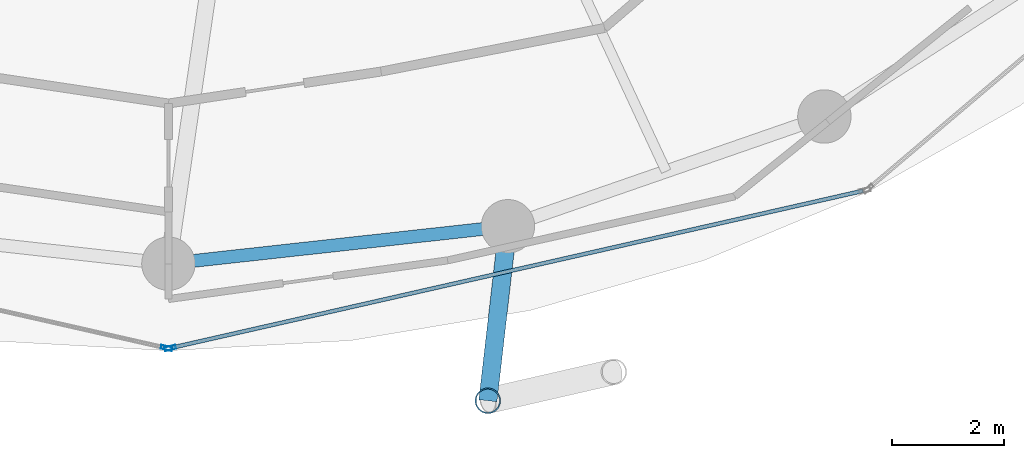
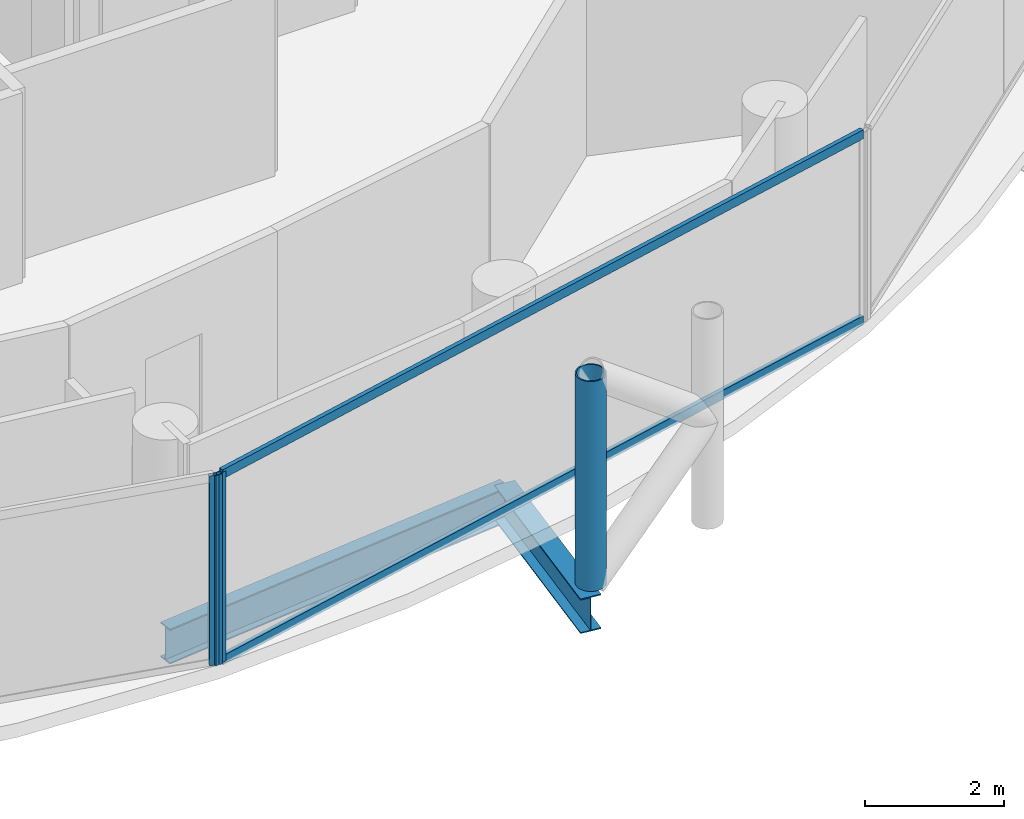
# One storey, part 4 of 26: 5 members, 2 beams, 2 elements without a shape of their own.
"""IFC4 building model written with IfcOpenShell, lengths in metres."""

from ifc_helpers import new_model, si_unit, direction, frame, origin, origin_2d, place, context, subcontext, project, spatial, hollow_rectangle, hollow_circle, i_section, extrude, material, layer, layer_set, material_profile, profile_set, type_object, element, aggregate, save


model = new_model("IFC4")

# Units and contexts
model_context = context("Model", 3, precision=1e-05, world=origin(), true_north=direction((0.0, 1.0)))
body_context = subcontext(model_context, "Body", "Model", "MODEL_VIEW")
ifc_project = project(units=[si_unit("LENGTHUNIT", "METRE"), si_unit("AREAUNIT", "SQUARE_METRE"), si_unit("VOLUMEUNIT", "CUBIC_METRE"), si_unit("PLANEANGLEUNIT", "RADIAN"), si_unit("MASSUNIT", "GRAM", prefix="KILO")], contexts=[model_context])

# Site, building, storey
site_placement = place(None, origin())
site = spatial("IfcSite", under=ifc_project, at=site_placement, CompositionType="ELEMENT")
building_placement = place(site_placement, origin())
building = spatial("IfcBuilding", under=site, at=building_placement, Name="Nuhasar Tower", CompositionType="ELEMENT")
storey_placement = place(building_placement, frame((0.0, 0.0, 192.25)))
storey = spatial("IfcBuildingStorey", under=building, at=storey_placement, Name="L47", CompositionType="ELEMENT", Elevation=192.25)

# Beams
ifc_material_1 = material(Name="Steel S355", Category="steel")
ifc_material_profile_1 = material_profile(ifc_material_1, i_section(OverallWidth=0.22998046875, OverallDepth=0.616943359375, WebThickness=0.01318359375, FlangeThickness=0.022216796875, at=origin_2d()), Name="W24X94")
ifc_profile_set_1 = profile_set([ifc_material_profile_1], Name="Steel S355")
beam_type_1 = type_object("IfcBeamType", Name="BM-RING-W24X94", PredefinedType="SPANDREL", material=ifc_profile_set_1)
beam_1_placement = place(storey_placement, frame((39.0, 7.25, -0.55908203125), z_axis=(0.993981289157, 0.109549974015, 0.0), x_axis=(-0.109549974015, 0.993981289157, 0.0)))
element("IfcBeam", 1, at=beam_1_placement, inside=storey, type_object=beam_type_1, Name="L47 Perimeter Ring Spandrel 19", PredefinedType="SPANDREL", context=body_context, shape_type="SweptSolid", body=[
    extrude(i_section(OverallWidth=0.22998046875, OverallDepth=0.616943359375, WebThickness=0.01318359375, FlangeThickness=0.022216796875, at=origin_2d()), origin(), (0.0, 0.0, 1.0), 6.07958984375),
])
ifc_material_profile_2 = material_profile(ifc_material_1, i_section(OverallWidth=0.323974609375, OverallDepth=0.611083984375, WebThickness=0.0126953125, FlangeThickness=0.01904296875, at=origin_2d()), Name="W24X104")
ifc_profile_set_2 = profile_set([ifc_material_profile_2], Name="Steel S355")
beam_type_2 = type_object("IfcBeamType", Name="BM-TIE-W24X104", PredefinedType="BEAM", material=ifc_profile_set_2)
beam_2_placement = place(storey_placement, frame((45.04296875, 7.916015625, -0.554931640625), z_axis=(-0.114167639647, -0.993461499031, 0.0), x_axis=(0.993461499031, -0.114167639647, 0.0)))
element("IfcBeam", 2, at=beam_2_placement, inside=storey, type_object=beam_type_2, Name="L47 Exoskeleton Node Tie Beam 10", PredefinedType="BEAM", context=body_context, shape_type="SweptSolid", body=[
    extrude(i_section(OverallWidth=0.323974609375, OverallDepth=0.611083984375, WebThickness=0.0126953125, FlangeThickness=0.01904296875, at=origin_2d()), origin(), (0.0, 0.0, 1.0), 3.12646484375),
])

# Curtain wall, member
ifc_material_2 = material(Name="Aluminium 6063-T6", Category="aluminium")
ifc_layer = layer(ifc_material_2, 0.199951171875)
ifc_layer_set = layer_set([ifc_layer], Name="Aluminium 6063-T6")
curtain_wall_type = type_object("IfcCurtainWallType", Name="CW-Z2-HTL", PredefinedType="NOTDEFINED", material=ifc_layer_set)
curtain_wall_1_placement = place(storey_placement, origin())
curtain_wall_1 = element("IfcCurtainWall", 3, at=curtain_wall_1_placement, inside=storey, type_object=curtain_wall_type, Name="L47 Unitised Curtain Wall 09", PredefinedType="NOTDEFINED")
ifc_material_profile_3 = material_profile(ifc_material_2, hollow_rectangle(XDim=0.070068359375, YDim=0.199951171875, WallThickness=0.0048828125, at=origin_2d()), Name="CWM-3")
ifc_profile_set_3 = profile_set([ifc_material_profile_3], Name="Aluminium 6063-T6")
member_type_1 = type_object("IfcMemberType", Name="CW-MUL-S3", PredefinedType="MULLION", material=ifc_profile_set_3)
member_1_placement = place(storey_placement, frame((38.9658203125, 5.747802734375, 0.0), z_axis=(0.0, 0.0, 1.0), x_axis=(0.22139729566, 0.975183694221, 0.0)))
member_1 = element("IfcMember", 4, at=member_1_placement, type_object=member_type_1, Name="CW-Z2 mullion 2", PredefinedType="MULLION", context=body_context, shape_type="SweptSolid", body=[
    extrude(hollow_rectangle(XDim=0.070068359375, YDim=0.199951171875, WallThickness=0.0048828125, at=origin_2d()), origin(), (0.0, 0.0, 1.0), 3.35009765625),
])
aggregate(curtain_wall_1, [member_1])

# Curtain wall, members
curtain_wall_2_placement = place(storey_placement, origin())
curtain_wall_2 = element("IfcCurtainWall", 5, at=curtain_wall_2_placement, inside=storey, type_object=curtain_wall_type, Name="L47 Unitised Curtain Wall 10", PredefinedType="NOTDEFINED")
member_2_placement = place(storey_placement, frame((39.0341796875, 5.747802734375, 0.0), z_axis=(0.0, 0.0, 1.0), x_axis=(-0.22139729566, 0.975183694221, 0.0)))
member_2 = element("IfcMember", 6, at=member_2_placement, type_object=member_type_1, Name="CW-Z2 mullion 1", PredefinedType="MULLION", context=body_context, shape_type="SweptSolid", body=[
    extrude(hollow_rectangle(XDim=0.070068359375, YDim=0.199951171875, WallThickness=0.0048828125, at=origin_2d()), origin(), (0.0, 0.0, 1.0), 3.35009765625),
])
ifc_material_profile_4 = material_profile(ifc_material_2, hollow_rectangle(XDim=0.070068359375, YDim=0.159912109375, WallThickness=0.00439453125, at=origin_2d()), Name="CWT-3")
ifc_profile_set_4 = profile_set([ifc_material_profile_4], Name="Aluminium 6063-T6")
member_type_2 = type_object("IfcMemberType", Name="CW-TRN-S3", PredefinedType="USERDEFINED", material=ifc_profile_set_4)
member_3_placement = place(storey_placement, frame((39.068359375, 5.755615234375, 0.034912109375), z_axis=(0.975187615691, 0.221380022142, 0.0), x_axis=(-0.221380022142, 0.975187615691, 0.0)))
member_3 = element("IfcMember", 7, at=member_3_placement, type_object=member_type_2, Name="CW-Z2 transom 1.1", ObjectType="TRANSOM", PredefinedType="USERDEFINED", context=body_context, shape_type="SweptSolid", body=[
    extrude(hollow_rectangle(XDim=0.070068359375, YDim=0.159912109375, WallThickness=0.00439453125, at=origin_2d()), origin(), (0.0, 0.0, 1.0), 12.606201171875),
])
member_4_placement = place(storey_placement, frame((39.068359375, 5.755615234375, 3.31494140625), z_axis=(0.975187615691, 0.221380022142, 0.0), x_axis=(-0.221380022142, 0.975187615691, 0.0)))
member_4 = element("IfcMember", 8, at=member_4_placement, type_object=member_type_2, Name="CW-Z2 transom 1.2", ObjectType="TRANSOM", PredefinedType="USERDEFINED", context=body_context, shape_type="SweptSolid", body=[
    extrude(hollow_rectangle(XDim=0.070068359375, YDim=0.159912109375, WallThickness=0.00439453125, at=origin_2d()), origin(), (0.0, 0.0, 1.0), 12.606201171875),
])
aggregate(curtain_wall_2, [member_2, member_3, member_4])

# Member
ifc_material_3 = material(Name="Steel S460", Category="steel")
ifc_material_profile_5 = material_profile(ifc_material_3, hollow_circle(Radius=0.228515625, WallThickness=0.022216796875, at=origin_2d()), Name="HSS457X22.2")
ifc_profile_set_5 = profile_set([ifc_material_profile_5], Name="Steel S460")
member_type_3 = type_object("IfcMemberType", Name="EXO-BRONZE-457", PredefinedType="BRACE", material=ifc_profile_set_5)
member_5_placement = place(storey_placement, frame((44.68603515625, 4.81005859375, 0.0), z_axis=(0.0, 0.0, 1.0), x_axis=(1.0, 0.0, 0.0)))
element("IfcMember", 9, at=member_5_placement, inside=storey, type_object=member_type_3, Name="L47 Exoskeleton Chord Column EC-10A", PredefinedType="BRACE", context=body_context, shape_type="SweptSolid", body=[
    extrude(hollow_circle(Radius=0.228515625, WallThickness=0.022216796875, at=origin_2d()), origin(), (0.0, 0.0, 1.0), 3.699951171875),
])

save(model, "model.ifc")
